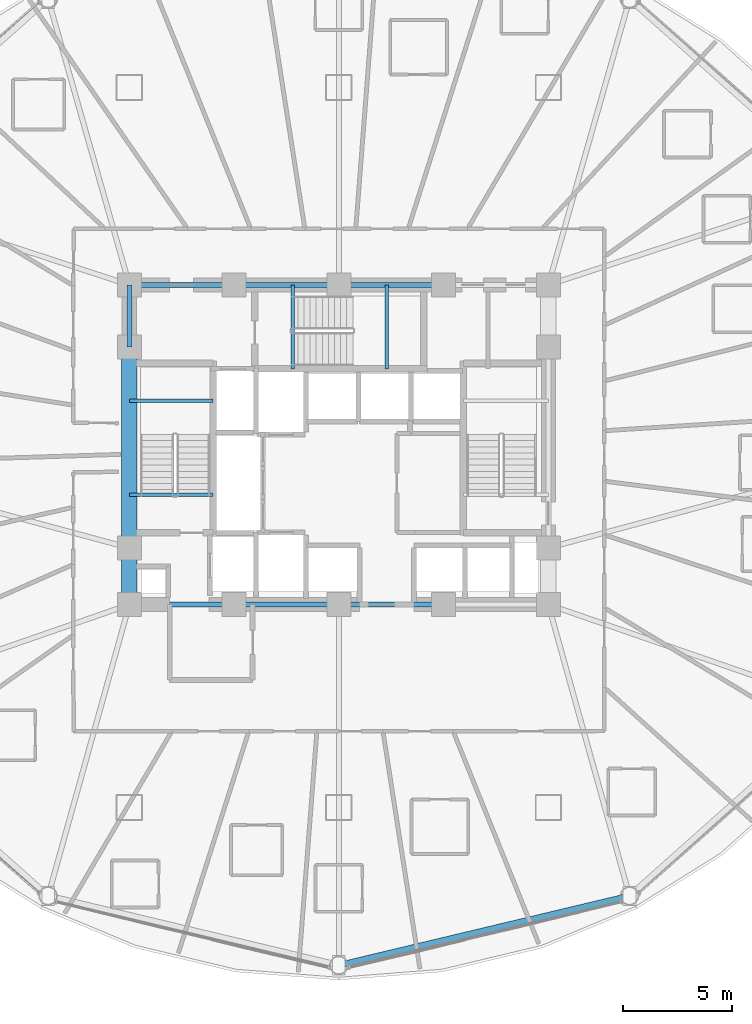
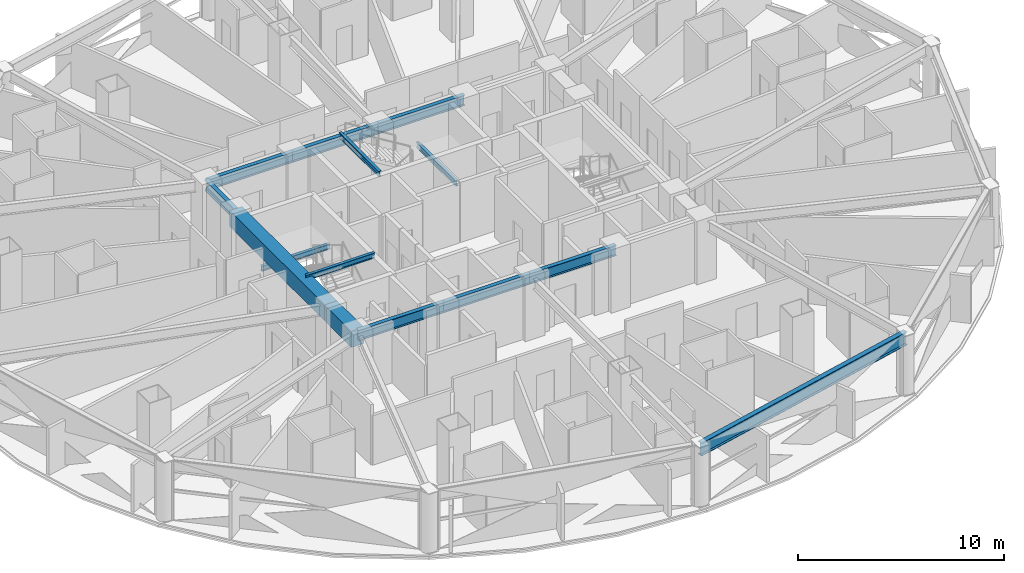
# One storey, part 9 of 32: 14 beams.
"""IFC4 building model written with IfcOpenShell, lengths in metres."""

from ifc_helpers import new_model, si_unit, direction, frame, origin, origin_2d, place, context, subcontext, project, spatial, rectangle, i_section, extrude, material, material_profile, profile_set, type_object, element, save


model = new_model("IFC4")

# Units and contexts
model_context = context("Model", 3, precision=1e-05, world=origin(), true_north=direction((0.0, 1.0)))
body_context = subcontext(model_context, "Body", "Model", "MODEL_VIEW")
ifc_project = project(units=[si_unit("LENGTHUNIT", "METRE"), si_unit("AREAUNIT", "SQUARE_METRE"), si_unit("VOLUMEUNIT", "CUBIC_METRE"), si_unit("PLANEANGLEUNIT", "RADIAN"), si_unit("MASSUNIT", "GRAM", prefix="KILO")], contexts=[model_context])

# Site, building, storey
site_placement = place(None, origin())
site = spatial("IfcSite", under=ifc_project, at=site_placement, CompositionType="ELEMENT")
building_placement = place(site_placement, origin())
building = spatial("IfcBuilding", under=site, at=building_placement, Name="Vantalir Tower", CompositionType="ELEMENT")
storey_placement = place(building_placement, frame((0.0, 0.0, 45.75)))
storey = spatial("IfcBuildingStorey", under=building, at=storey_placement, Name="L10", CompositionType="ELEMENT", Elevation=45.75)

# Beams
ifc_material_1 = material(Name="Concrete C60/75", Category="concrete")
ifc_material_profile_1 = material_profile(ifc_material_1, rectangle(XDim=0.699951171875, YDim=0.949951171875, at=origin_2d()), Name="Concrete C60/75")
ifc_profile_set_1 = profile_set([ifc_material_profile_1], Name="Concrete C60/75")
beam_type_1 = type_object("IfcBeamType", Name="BM-CB-700x950", PredefinedType="USERDEFINED", material=ifc_profile_set_1)
beam_1_placement = place(storey_placement, frame((21.89990234375, 29.60009765625, 3.094970703125), z_axis=(0.0, -1.0, 0.0), x_axis=(1.0, 0.0, 0.0)))
element("IfcBeam", 1, at=beam_1_placement, inside=storey, type_object=beam_type_1, Name="L10 Core Coupling Girder 13", ObjectType="GIRDER", PredefinedType="USERDEFINED", context=body_context, shape_type="SweptSolid", body=[
    extrude(rectangle(XDim=0.699951171875, YDim=0.949951171875, at=origin_2d()), origin(), (0.0, 0.0, 1.0), 9.2001953125),
])
beam_2_placement = place(storey_placement, frame((21.89990234375, 20.39990234375, 3.094970703125), z_axis=(0.0, -1.0, 0.0), x_axis=(1.0, 0.0, 0.0)))
element("IfcBeam", 2, at=beam_2_placement, inside=storey, type_object=beam_type_1, Name="L10 Core Coupling Girder 14", ObjectType="GIRDER", PredefinedType="USERDEFINED", context=body_context, shape_type="SweptSolid", body=[
    extrude(rectangle(XDim=0.699951171875, YDim=0.949951171875, at=origin_2d()), origin(), (0.0, 0.0, 1.0), 2.599853515625),
])
ifc_material_2 = material(Name="Steel S355", Category="steel")
ifc_material_profile_2 = material_profile(ifc_material_2, i_section(OverallWidth=0.166015625, OverallDepth=0.306884765625, WebThickness=0.006591796875, FlangeThickness=0.01171875, at=origin_2d()), Name="Steel S355")
ifc_profile_set_2 = profile_set([ifc_material_profile_2], Name="Steel S355")
beam_type_2 = type_object("IfcBeamType", Name="BM-JS-305x165", PredefinedType="JOIST", material=ifc_profile_set_2)
for number, where, z_axis, x_axis, name in (
    (3, (21.89990234375, 22.8349609375, 3.595947265625), (1.0, 0.0, 0.0), (0.0, 1.0, 0.0), "L11 Stair ST1 Well Nosing Trimmer Beam"),
    (4, (21.89990234375, 27.14501953125, 1.52099609375), (1.0, 0.0, 0.0), (0.0, 1.0, 0.0), "L10 Stair ST1 Half-Landing Support Beam"),
):
    element("IfcBeam", number, at=place(storey_placement, frame(where, z_axis=z_axis, x_axis=x_axis)), inside=storey, type_object=beam_type_2, Name=name, PredefinedType="JOIST", context=body_context, shape_type="SweptSolid", body=[
        extrude(i_section(OverallWidth=0.166015625, OverallDepth=0.306884765625, WebThickness=0.006591796875, FlangeThickness=0.01171875, at=origin_2d()), origin(), (0.0, 0.0, 1.0), 3.840087890625),
    ])
for number, where, z_axis, x_axis, name in (
    (5, (29.385009765625, 28.60009765625, 3.595947265625), (0.0, 1.0, 0.0), (-1.0, 0.0, 0.0), "L11 Stair ST3 Well Nosing Trimmer Beam"),
    (6, (33.695068359375, 28.60009765625, 1.52099609375), (0.0, 1.0, 0.0), (-1.0, 0.0, 0.0), "L10 Stair ST3 Half-Landing Support Beam"),
):
    element("IfcBeam", number, at=place(storey_placement, frame(where, z_axis=z_axis, x_axis=x_axis)), inside=storey, type_object=beam_type_2, Name=name, PredefinedType="JOIST", context=body_context, shape_type="SweptSolid", body=[
        extrude(i_section(OverallWidth=0.166015625, OverallDepth=0.306884765625, WebThickness=0.006591796875, FlangeThickness=0.01171875, at=origin_2d()), origin(), (0.0, 0.0, 1.0), 3.849853515625),
    ])
ifc_material_profile_3 = material_profile(ifc_material_2, i_section(OverallWidth=0.22998046875, OverallDepth=0.616943359375, WebThickness=0.01318359375, FlangeThickness=0.022216796875, at=origin_2d()), Name="Steel S355")
ifc_profile_set_3 = profile_set([ifc_material_profile_3], Name="Steel S355")
beam_type_3 = type_object("IfcBeamType", Name="BM-RB-610x229", PredefinedType="BEAM", material=ifc_profile_set_3)
for number, where, z_axis, x_axis, name in (
    (7, (21.89990234375, 17.800048828125, 3.261962890625), (1.0, 0.0, 0.0), (0.0, 1.0, 0.0), "L10 Core Coupling Girder 01"),
    (8, (26.699951171875, 17.800048828125, 3.261962890625), (1.0, 0.0, 0.0), (0.0, 1.0, 0.0), "L10 Core Coupling Girder 02"),
    (9, (31.5, 17.800048828125, 3.261962890625), (1.0, 0.0, 0.0), (0.0, 1.0, 0.0), "L10 Core Coupling Girder 03"),
    (10, (36.300048828125, 32.449951171875, 3.261962890625), (-1.0, 0.0, 0.0), (0.0, -1.0, 0.0), "L10 Core Coupling Girder 09"),
    (11, (31.5, 32.449951171875, 3.261962890625), (-1.0, 0.0, 0.0), (0.0, -1.0, 0.0), "L10 Core Coupling Girder 10"),
    (12, (26.699951171875, 32.449951171875, 3.261962890625), (-1.0, 0.0, 0.0), (0.0, -1.0, 0.0), "L10 Core Coupling Girder 11"),
):
    element("IfcBeam", number, at=place(storey_placement, frame(where, z_axis=z_axis, x_axis=x_axis)), inside=storey, type_object=beam_type_3, Name=name, PredefinedType="BEAM", context=body_context, shape_type="SweptSolid", body=[
        extrude(i_section(OverallWidth=0.22998046875, OverallDepth=0.616943359375, WebThickness=0.01318359375, FlangeThickness=0.022216796875, at=origin_2d()), origin(), (0.0, 0.0, 1.0), 4.800048828125),
    ])
beam_3_placement = place(storey_placement, frame((21.89990234375, 32.449951171875, 3.261962890625), z_axis=(0.0, -1.0, 0.0), x_axis=(1.0, 0.0, 0.0)))
element("IfcBeam", 13, at=beam_3_placement, inside=storey, type_object=beam_type_3, Name="L10 Core Coupling Girder 12", PredefinedType="BEAM", context=body_context, shape_type="SweptSolid", body=[
    extrude(i_section(OverallWidth=0.22998046875, OverallDepth=0.616943359375, WebThickness=0.01318359375, FlangeThickness=0.022216796875, at=origin_2d()), origin(), (0.0, 0.0, 1.0), 2.849853515625),
])
ifc_material_3 = material(Name="Steel S460", Category="steel")
ifc_material_profile_4 = material_profile(ifc_material_3, i_section(OverallWidth=0.26806640625, OverallDepth=0.77001953125, WebThickness=0.015625, FlangeThickness=0.025390625, at=origin_2d()), Name="Steel S460")
ifc_profile_set_4 = profile_set([ifc_material_profile_4], Name="Steel S460")
beam_type_4 = type_object("IfcBeamType", Name="BM-RG-762x267", PredefinedType="USERDEFINED", material=ifc_profile_set_4)
beam_4_placement = place(storey_placement, frame((31.5, 1.27392578125, 3.18505859375), z_axis=(0.972682503887, 0.232139498215, 0.0), x_axis=(-0.232139498215, 0.972682503887, 0.0)))
element("IfcBeam", 14, at=beam_4_placement, inside=storey, type_object=beam_type_4, Name="L10 Circumferential Ring Girder 10", ObjectType="GIRDER", PredefinedType="USERDEFINED", context=body_context, shape_type="SweptSolid", body=[
    extrude(i_section(OverallWidth=0.26806640625, OverallDepth=0.77001953125, WebThickness=0.015625, FlangeThickness=0.025390625, at=origin_2d()), origin(), (0.0, 0.0, 1.0), 13.694091796875),
])

save(model, "model.ifc")
